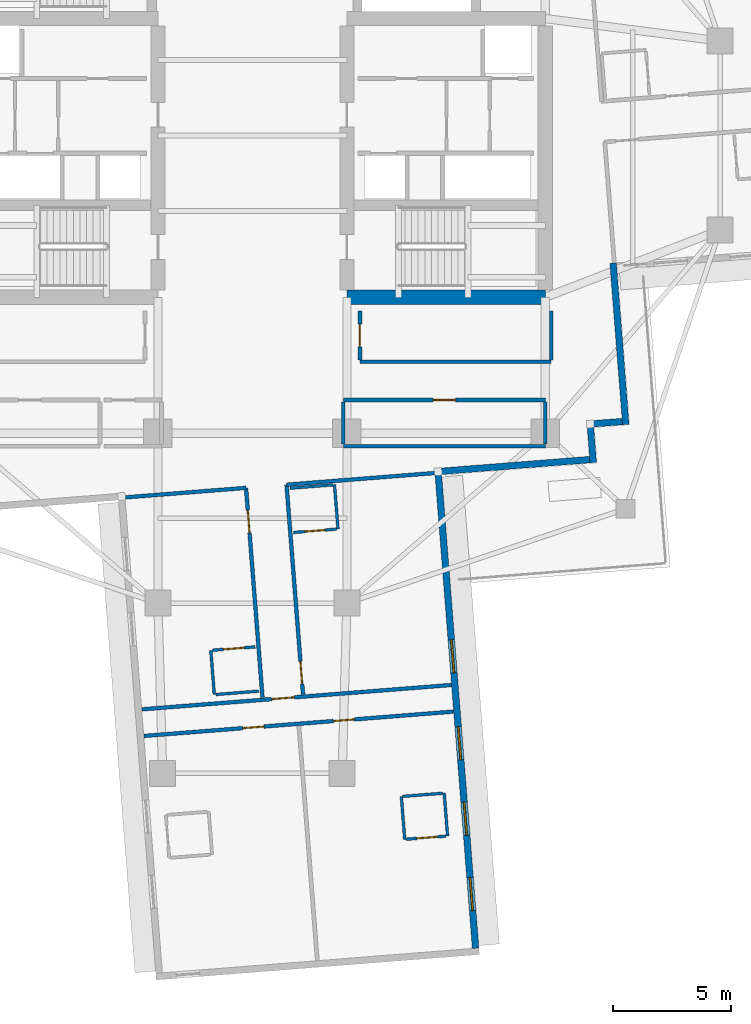
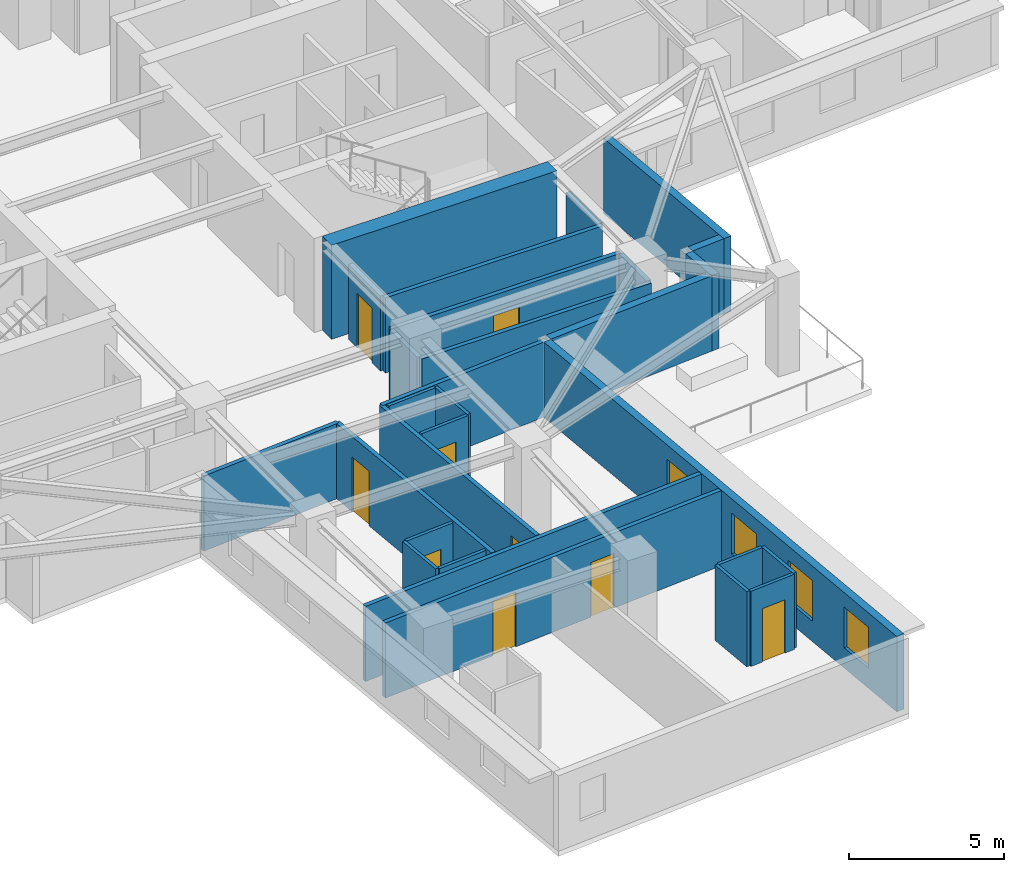
# One storey, part 4 of 14: 29 walls, 10 doors, 4 windows, 14 openings.
"""IFC4 building model written with IfcOpenShell, lengths in metres."""

from ifc_helpers import new_model, si_unit, direction, frame, frame_2d, origin, place, context, subcontext, project, spatial, rectangle, extrude, material, layer, layer_set, type_object, element, fill, save


model = new_model("IFC4")

# Units and contexts
model_context = context("Model", 3, precision=1e-05, world=origin(), true_north=direction((0.0, 1.0)))
body_context = subcontext(model_context, "Body", "Model", "MODEL_VIEW")
ifc_project = project(units=[si_unit("LENGTHUNIT", "METRE"), si_unit("AREAUNIT", "SQUARE_METRE"), si_unit("VOLUMEUNIT", "CUBIC_METRE"), si_unit("PLANEANGLEUNIT", "RADIAN"), si_unit("MASSUNIT", "GRAM", prefix="KILO")], contexts=[model_context])

# Site, building, storey
site_placement = place(None, origin())
site = spatial("IfcSite", under=ifc_project, at=site_placement, CompositionType="ELEMENT")
building_placement = place(site_placement, origin())
building = spatial("IfcBuilding", under=site, at=building_placement, Name="Qingluan Cross Belvedere", CompositionType="ELEMENT")
storey_placement = place(building_placement, frame((0.0, 0.0, 124.199951171875)))
storey = spatial("IfcBuildingStorey", under=building, at=storey_placement, Name="L31", CompositionType="ELEMENT", Elevation=124.199951171875)

# Walls
ifc_material_1 = material(Name="Concrete C60", Category="concrete")
ifc_layer_1 = layer(ifc_material_1, 0.60009765625, Name="CoreShearWall_600")
ifc_layer_set_1 = layer_set([ifc_layer_1], Name="Concrete C60")
wall_type_1 = type_object("IfcWallType", Name="CoreShearWall_600", PredefinedType="SHEAR", material=ifc_layer_set_1)
wall_1_placement = place(storey_placement, frame((4.0, -6.85009765625, 0.0), z_axis=(0.0, 0.0, 1.0), x_axis=(1.0, 0.0, 0.0)))
element("IfcWall", 1, at=wall_1_placement, inside=storey, type_object=wall_type_1, Name="Split core E shear wall L31-S", PredefinedType="SHEAR", context=body_context, shape_type="SweptSolid", body=[
    extrude(rectangle(XDim=8.39990234375, YDim=0.60009765625, at=frame_2d((4.199951171875, 0.0))), origin(), (0.0, 0.0, 1.0), 3.699951171875),
])
ifc_material_2 = material(Name="Gypsum plasterboard on steel stud acoustic partition", Category="steel")
ifc_layer_2 = layer(ifc_material_2, 0.159912109375, Name="CorridorPartition_160")
ifc_layer_set_2 = layer_set([ifc_layer_2], Name="Gypsum plasterboard on steel stud acoustic partition")
wall_type_2 = type_object("IfcWallType", Name="CorridorPartition_160", PredefinedType="PARTITIONING", material=ifc_layer_set_2)
wall_2_placement = place(storey_placement, frame((3.85009765625, -13.14990234375, 0.0), z_axis=(0.0, 0.0, 1.0), x_axis=(1.0, 0.0, 0.0)))
element("IfcWall", 2, at=wall_2_placement, inside=storey, type_object=wall_type_2, Name="Partition L31:q_se:S", PredefinedType="PARTITIONING", context=body_context, shape_type="SweptSolid", body=[
    extrude(rectangle(XDim=8.5498046875, YDim=0.159912109375, at=frame_2d((4.27490234375, 0.0))), origin(), (0.0, 0.0, 1.0), 2.9599609375),
])

# Wall, opening, door
wall_3_placement = place(storey_placement, frame((3.85009765625, -11.199951171875, 0.0), z_axis=(0.0, 0.0, 1.0), x_axis=(1.0, 0.0, 0.0)))
wall_3 = element("IfcWall", 3, at=wall_3_placement, inside=storey, type_object=wall_type_2, Name="Partition L31:q_se:N", PredefinedType="PARTITIONING", context=body_context, shape_type="SweptSolid", body=[
    extrude(rectangle(XDim=8.5498046875, YDim=0.159912109375, at=frame_2d((4.27490234375, 0.0))), origin(), (0.0, 0.0, 1.0), 2.9599609375),
])
opening_1_placement = place(wall_3_placement, frame((3.794921875, 0.0, 0.0)))
opening_1 = element("IfcOpeningElement", 4, at=opening_1_placement, cuts=wall_3, Name="Opening GD-10", PredefinedType="OPENING", context=body_context, shape_type="SweptSolid", body=[
    extrude(rectangle(XDim=0.9599609375, YDim=2.14990234375, at=frame_2d((0.47998046875, 1.074951171875))), frame((0.0, 0.08984375, 0.0), z_axis=(0.0, -1.0, 0.0), x_axis=(1.0, 0.0, 0.0)), (0.0, 0.0, 1.0), 0.179931640625),
])
ifc_material_3 = material(Name="Timber oak fire-rated acoustic guestroom door", Category="wood")
door_type_1 = type_object("IfcDoorType", Name="GuestEntryDoor_FD60", OperationType="NOTDEFINED", PredefinedType="DOOR", material=ifc_material_3)
door_1_placement = place(opening_1_placement, origin())
door_1 = element("IfcDoor", 5, at=door_1_placement, inside=storey, type_object=door_type_1, Name="Afternoon tea pantry L31 door", OperationType="SINGLE_SWING_LEFT", OverallHeight=2.14990234375, OverallWidth=0.9599609375, PredefinedType="DOOR", context=body_context, shape_type="SweptSolid", body=[
    extrude(rectangle(XDim=0.9599609375, YDim=2.14990234375, at=frame_2d((0.47998046875, 1.074951171875))), frame((0.0, 0.02490234375, 0.0), z_axis=(0.0, -1.0, 0.0), x_axis=(1.0, 0.0, 0.0)), (0.0, 0.0, 1.0), 0.050048828125),
])
fill(opening_1, door_1)

# Walls
for number, where, z_axis, x_axis, name in (
    (6, (3.85009765625, -13.06494140625, 0.0), (0.0, 0.0, 1.0), (0.0, 1.0, 0.0), "Partition L31:q_se:W"),
    (7, (12.39990234375, -13.06494140625, 0.0), (0.0, 0.0, 1.0), (0.0, 1.0, 0.0), "Partition L31:q_se:E"),
):
    element("IfcWall", number, at=place(storey_placement, frame(where, z_axis=z_axis, x_axis=x_axis)), inside=storey, type_object=wall_type_2, Name=name, PredefinedType="PARTITIONING", context=body_context, shape_type="SweptSolid", body=[
        extrude(rectangle(XDim=1.780029296875, YDim=0.159912109375, at=frame_2d((0.89013671875, 0.0))), origin(), (0.0, 0.0, 1.0), 2.9599609375),
    ])
wall_4_placement = place(storey_placement, frame((4.550048828125, -9.580078125, 0.0), z_axis=(0.0, 0.0, 1.0), x_axis=(1.0, 0.0, 0.0)))
element("IfcWall", 8, at=wall_4_placement, inside=storey, type_object=wall_type_2, Name="Partition L31:rec_st4:S", PredefinedType="PARTITIONING", context=body_context, shape_type="SweptSolid", body=[
    extrude(rectangle(XDim=8.099853515625, YDim=0.159912109375, at=frame_2d((4.0498046875, 0.0))), origin(), (0.0, 0.0, 1.0), 2.9599609375),
])

# Wall, opening, door
wall_5_placement = place(storey_placement, frame((4.550048828125, -9.4951171875, 0.0), z_axis=(0.0, 0.0, 1.0), x_axis=(0.0, 1.0, 0.0)))
wall_5 = element("IfcWall", 9, at=wall_5_placement, inside=storey, type_object=wall_type_2, Name="Partition L31:rec_st4:W", PredefinedType="PARTITIONING", context=body_context, shape_type="SweptSolid", body=[
    extrude(rectangle(XDim=2.06005859375, YDim=0.159912109375, at=frame_2d((1.030029296875, 0.0))), origin(), (0.0, 0.0, 1.0), 2.9599609375),
])
opening_2_placement = place(wall_5_placement, frame((0.550048828125, 0.0, 0.0)))
opening_2 = element("IfcOpeningElement", 10, at=opening_2_placement, cuts=wall_5, Name="Opening GD-10", PredefinedType="OPENING", context=body_context, shape_type="SweptSolid", body=[
    extrude(rectangle(XDim=0.9599609375, YDim=2.14990234375, at=frame_2d((0.47998046875, 1.074951171875))), frame((0.0, 0.08984375, 0.0), z_axis=(0.0, -1.0, 0.0), x_axis=(1.0, 0.0, 0.0)), (0.0, 0.0, 1.0), 0.179931640625),
])
door_2_placement = place(opening_2_placement, origin())
door_2 = element("IfcDoor", 11, at=door_2_placement, inside=storey, type_object=door_type_1, Name="Southeast club library room L31 door", OperationType="SINGLE_SWING_RIGHT", OverallHeight=2.14990234375, OverallWidth=0.9599609375, PredefinedType="DOOR", context=body_context, shape_type="SweptSolid", body=[
    extrude(rectangle(XDim=0.9599609375, YDim=2.14990234375, at=frame_2d((0.47998046875, 1.074951171875))), frame((0.0, 0.02490234375, 0.0), z_axis=(0.0, -1.0, 0.0), x_axis=(1.0, 0.0, 0.0)), (0.0, 0.0, 1.0), 0.050048828125),
])
fill(opening_2, door_2)

# Wall
wall_6_placement = place(storey_placement, frame((12.64990234375, -9.4951171875, 0.0), z_axis=(0.0, 0.0, 1.0), x_axis=(0.0, 1.0, 0.0)))
element("IfcWall", 12, at=wall_6_placement, inside=storey, type_object=wall_type_2, Name="Partition L31:rec_st4:E", PredefinedType="PARTITIONING", context=body_context, shape_type="SweptSolid", body=[
    extrude(rectangle(XDim=2.06005859375, YDim=0.159912109375, at=frame_2d((1.030029296875, 0.0))), origin(), (0.0, 0.0, 1.0), 2.9599609375),
])

# Wall, opening, door
wall_7_placement = place(storey_placement, frame((1.4443359375, -14.7822265625, 0.0), z_axis=(0.0, 0.0, 1.0), x_axis=(0.078454258523, -0.996917714418, 0.0)))
wall_7 = element("IfcWall", 13, at=wall_7_placement, inside=storey, type_object=wall_type_2, Name="Partition L31:S:c0", PredefinedType="PARTITIONING", context=body_context, shape_type="SweptSolid", body=[
    extrude(rectangle(XDim=8.89990234375, YDim=0.159912109375, at=frame_2d((4.449951171875, 0.0))), origin(), (0.0, 0.0, 1.0), 2.9599609375),
])
opening_3_placement = place(wall_7_placement, frame((7.5, 0.0, 0.0)))
opening_3 = element("IfcOpeningElement", 14, at=opening_3_placement, cuts=wall_7, Name="Opening GD-10", PredefinedType="OPENING", context=body_context, shape_type="SweptSolid", body=[
    extrude(rectangle(XDim=0.9599609375, YDim=2.14990234375, at=frame_2d((0.47998046875, 1.074951171875))), frame((0.0, 0.08984375, 0.0), z_axis=(0.0, -1.0, 0.0), x_axis=(1.0, 0.0, 0.0)), (0.0, 0.0, 1.0), 0.179931640625),
])
door_3_placement = place(opening_3_placement, origin())
door_3 = element("IfcDoor", 15, at=door_3_placement, inside=storey, type_object=door_type_1, Name="Guest entry fire door 3109", OperationType="SINGLE_SWING_RIGHT", OverallHeight=2.14990234375, OverallWidth=0.9599609375, PredefinedType="DOOR", context=body_context, shape_type="SweptSolid", body=[
    extrude(rectangle(XDim=0.9599609375, YDim=2.14990234375, at=frame_2d((0.47998046875, 1.074951171875))), frame((0.0, 0.02490234375, 0.0), z_axis=(0.0, -1.0, 0.0), x_axis=(1.0, 0.0, 0.0)), (0.0, 0.0, 1.0), 0.050048828125),
])
fill(opening_3, door_3)

# Wall
wall_8_placement = place(storey_placement, frame((1.4443359375, -14.7822265625, 0.0), z_axis=(0.0, 0.0, 1.0), x_axis=(0.996919168289, 0.078435781998, 0.0)))
element("IfcWall", 16, at=wall_8_placement, inside=storey, type_object=wall_type_2, Name="Partition L31:S:s0", PredefinedType="PARTITIONING", context=body_context, shape_type="SweptSolid", body=[
    extrude(rectangle(XDim=6.43994140625, YDim=0.159912109375, at=frame_2d((3.219970703125, 0.0))), origin(), (0.0, 0.0, 1.0), 2.9599609375),
])

# Wall, opening, door
wall_9_placement = place(storey_placement, frame((-0.2705078125, -14.917236328125, 0.0), z_axis=(0.0, 0.0, 1.0), x_axis=(0.078454258523, -0.996917714418, 0.0)))
wall_9 = element("IfcWall", 17, at=wall_9_placement, inside=storey, type_object=wall_type_2, Name="Partition L31:S:c1", PredefinedType="PARTITIONING", context=body_context, shape_type="SweptSolid", body=[
    extrude(rectangle(XDim=8.89990234375, YDim=0.159912109375, at=frame_2d((4.449951171875, 0.0))), origin(), (0.0, 0.0, 1.0), 2.9599609375),
])
opening_4_placement = place(wall_9_placement, frame((0.952880859375, 0.0, 0.0)))
opening_4 = element("IfcOpeningElement", 18, at=opening_4_placement, cuts=wall_9, Name="Opening GD-10", PredefinedType="OPENING", context=body_context, shape_type="SweptSolid", body=[
    extrude(rectangle(XDim=0.9599609375, YDim=2.14990234375, at=frame_2d((0.47998046875, 1.074951171875))), frame((0.0, 0.08984375, 0.0), z_axis=(0.0, -1.0, 0.0), x_axis=(1.0, 0.0, 0.0)), (0.0, 0.0, 1.0), 0.179931640625),
])
door_4_placement = place(opening_4_placement, origin())
door_4 = element("IfcDoor", 19, at=door_4_placement, inside=storey, type_object=door_type_1, Name="Guest entry fire door 3110", OperationType="SINGLE_SWING_RIGHT", OverallHeight=2.14990234375, OverallWidth=0.9599609375, PredefinedType="DOOR", context=body_context, shape_type="SweptSolid", body=[
    extrude(rectangle(XDim=0.9599609375, YDim=2.14990234375, at=frame_2d((0.47998046875, 1.074951171875))), frame((0.0, 0.02490234375, 0.0), z_axis=(0.0, -1.0, 0.0), x_axis=(1.0, 0.0, 0.0)), (0.0, 0.0, 1.0), 0.050048828125),
])
fill(opening_4, door_4)

# Wall
wall_10_placement = place(storey_placement, frame((-0.2705078125, -14.917236328125, 0.0), z_axis=(0.0, 0.0, 1.0), x_axis=(-0.996916642178, -0.078467882272, 0.0)))
element("IfcWall", 20, at=wall_10_placement, inside=storey, type_object=wall_type_2, Name="Partition L31:S:s1", PredefinedType="PARTITIONING", context=body_context, shape_type="SweptSolid", body=[
    extrude(rectangle(XDim=5.280029296875, YDim=0.159912109375, at=frame_2d((2.64013671875, 0.0))), origin(), (0.0, 0.0, 1.0), 2.9599609375),
])

# Wall, opening, door
wall_11_placement = place(storey_placement, frame((-4.680419921875, -24.2919921875, 0.0), z_axis=(0.0, 0.0, 1.0), x_axis=(0.996917447065, 0.078457655694, 0.0)))
wall_11 = element("IfcWall", 21, at=wall_11_placement, inside=storey, type_object=wall_type_2, Name="Partition L31:Scap:in", PredefinedType="PARTITIONING", context=body_context, shape_type="SweptSolid", body=[
    extrude(rectangle(XDim=13.14404296875, YDim=0.159912109375, at=frame_2d((6.572021484375, 0.0))), origin(), (0.0, 0.0, 1.0), 2.9599609375),
])
opening_5_placement = place(wall_11_placement, frame((5.511962890625, 0.0, 0.0)))
opening_5 = element("IfcOpeningElement", 22, at=opening_5_placement, cuts=wall_11, Name="Opening GD-10", PredefinedType="OPENING", context=body_context, shape_type="SweptSolid", body=[
    extrude(rectangle(XDim=0.9599609375, YDim=2.14990234375, at=frame_2d((0.47998046875, 1.074951171875))), frame((0.0, 0.08984375, 0.0), z_axis=(0.0, -1.0, 0.0), x_axis=(1.0, 0.0, 0.0)), (0.0, 0.0, 1.0), 0.179931640625),
])
door_5_placement = place(opening_5_placement, origin())
door_5 = element("IfcDoor", 23, at=door_5_placement, inside=storey, type_object=door_type_1, Name="Corner gallery fire door L31S", OperationType="SINGLE_SWING_LEFT", OverallHeight=2.14990234375, OverallWidth=0.9599609375, PredefinedType="DOOR", context=body_context, shape_type="SweptSolid", body=[
    extrude(rectangle(XDim=0.9599609375, YDim=2.14990234375, at=frame_2d((0.47998046875, 1.074951171875))), frame((0.0, 0.02490234375, 0.0), z_axis=(0.0, -1.0, 0.0), x_axis=(1.0, 0.0, 0.0)), (0.0, 0.0, 1.0), 0.050048828125),
])
fill(opening_5, door_5)

# Wall, openings, doors
wall_12_placement = place(storey_placement, frame((-4.591796875, -25.418701171875, 0.0), z_axis=(0.0, 0.0, 1.0), x_axis=(0.996915994096, 0.078476115573, 0.0)))
wall_12 = element("IfcWall", 24, at=wall_12_placement, inside=storey, type_object=wall_type_2, Name="Partition L31:Scap:vw", PredefinedType="PARTITIONING", context=body_context, shape_type="SweptSolid", body=[
    extrude(rectangle(XDim=13.14404296875, YDim=0.159912109375, at=frame_2d((6.572021484375, 0.0))), origin(), (0.0, 0.0, 1.0), 2.9599609375),
])
opening_6_placement = place(wall_12_placement, frame((4.201904296875, 0.0, 0.0)))
opening_6 = element("IfcOpeningElement", 25, at=opening_6_placement, cuts=wall_12, Name="Opening GD-09", PredefinedType="OPENING", context=body_context, shape_type="SweptSolid", body=[
    extrude(rectangle(XDim=0.89990234375, YDim=2.14990234375, at=frame_2d((0.449951171875, 1.074951171875))), frame((0.0, 0.08984375, 0.0), z_axis=(0.0, -1.0, 0.0), x_axis=(1.0, 0.0, 0.0)), (0.0, 0.0, 1.0), 0.179931640625),
])
opening_7_placement = place(wall_12_placement, frame((8.0419921875, 0.0, 0.0)))
opening_7 = element("IfcOpeningElement", 26, at=opening_7_placement, cuts=wall_12, Name="Opening GD-09", PredefinedType="OPENING", context=body_context, shape_type="SweptSolid", body=[
    extrude(rectangle(XDim=0.89990234375, YDim=2.14990234375, at=frame_2d((0.449951171875, 1.074951171875))), frame((0.0, 0.08984375, 0.0), z_axis=(0.0, -1.0, 0.0), x_axis=(1.0, 0.0, 0.0)), (0.0, 0.0, 1.0), 0.179931640625),
])
ifc_material_4 = material(Name="Timber oak fire-rated corner room door", Category="wood")
door_type_2 = type_object("IfcDoorType", Name="CornerRoomDoor_FD60", OperationType="NOTDEFINED", PredefinedType="DOOR", material=ifc_material_4)
door_6_placement = place(opening_6_placement, origin())
door_6 = element("IfcDoor", 27, at=door_6_placement, inside=storey, type_object=door_type_2, Name="Deluxe corner room door L31S1", OperationType="SINGLE_SWING_RIGHT", OverallHeight=2.14990234375, OverallWidth=0.89990234375, PredefinedType="DOOR", context=body_context, shape_type="SweptSolid", body=[
    extrude(rectangle(XDim=0.89990234375, YDim=2.14990234375, at=frame_2d((0.449951171875, 1.074951171875))), frame((0.0, 0.02490234375, 0.0), z_axis=(0.0, -1.0, 0.0), x_axis=(1.0, 0.0, 0.0)), (0.0, 0.0, 1.0), 0.050048828125),
])
fill(opening_6, door_6)
door_7_placement = place(opening_7_placement, origin())
door_7 = element("IfcDoor", 28, at=door_7_placement, inside=storey, type_object=door_type_2, Name="Deluxe corner room door L31S2", OperationType="SINGLE_SWING_LEFT", OverallHeight=2.14990234375, OverallWidth=0.89990234375, PredefinedType="DOOR", context=body_context, shape_type="SweptSolid", body=[
    extrude(rectangle(XDim=0.89990234375, YDim=2.14990234375, at=frame_2d((0.449951171875, 1.074951171875))), frame((0.0, 0.02490234375, 0.0), z_axis=(0.0, -1.0, 0.0), x_axis=(1.0, 0.0, 0.0)), (0.0, 0.0, 1.0), 0.050048828125),
])
fill(opening_7, door_7)

# Wall, opening, door
ifc_material_5 = material(Name="Moisture-resistant gypsum board lining")
ifc_layer_3 = layer(ifc_material_5, 0.1201171875, Name="EnsuiteWetPartition_120")
ifc_layer_set_3 = layer_set([ifc_layer_3], Name="Moisture-resistant gypsum board lining")
wall_type_3 = type_object("IfcWallType", Name="EnsuiteWetPartition_120", PredefinedType="PARTITIONING", material=ifc_layer_set_3)
wall_13_placement = place(storey_placement, frame((1.743896484375, -16.804931640625, 0.0), z_axis=(0.0, 0.0, 1.0), x_axis=(0.996916400774, 0.0784709492, 0.0)))
wall_13 = element("IfcWall", 29, at=wall_13_placement, inside=storey, type_object=wall_type_3, Name="Partition L31:S:bs0_0", PredefinedType="PARTITIONING", context=body_context, shape_type="SweptSolid", body=[
    extrude(rectangle(XDim=1.820068359375, YDim=0.1201171875, at=frame_2d((0.91015625, 0.0))), origin(), (0.0, 0.0, 1.0), 2.9599609375),
])
opening_8_placement = place(wall_13_placement, frame((0.469970703125, 0.0, 0.0)))
opening_8 = element("IfcOpeningElement", 30, at=opening_8_placement, cuts=wall_13, Name="Opening BD-09", PredefinedType="OPENING", context=body_context, shape_type="SweptSolid", body=[
    extrude(rectangle(XDim=0.8798828125, YDim=2.10009765625, at=frame_2d((0.43994140625, 1.050048828125))), frame((0.0, 0.070068359375, 0.0), z_axis=(0.0, -1.0, 0.0), x_axis=(1.0, 0.0, 0.0)), (0.0, 0.0, 1.0), 0.14013671875),
])
ifc_material_6 = material(Name="Moisture-sealed timber en-suite door", Category="wood")
door_type_3 = type_object("IfcDoorType", Name="BathroomDoor_880", OperationType="NOTDEFINED", PredefinedType="DOOR", material=ifc_material_6)
door_8_placement = place(opening_8_placement, origin())
door_8 = element("IfcDoor", 31, at=door_8_placement, inside=storey, type_object=door_type_3, Name="Bathroom door 3109", OperationType="SINGLE_SWING_LEFT", OverallHeight=2.10009765625, OverallWidth=0.8798828125, PredefinedType="DOOR", context=body_context, shape_type="SweptSolid", body=[
    extrude(rectangle(XDim=0.8798828125, YDim=2.10009765625, at=frame_2d((0.43994140625, 1.050048828125))), frame((0.0, 0.02490234375, 0.0), z_axis=(0.0, -1.0, 0.0), x_axis=(1.0, 0.0, 0.0)), (0.0, 0.0, 1.0), 0.050048828125),
])
fill(opening_8, door_8)

# Walls
wall_14_placement = place(storey_placement, frame((1.596435546875, -14.930908203125, 0.0), z_axis=(0.0, 0.0, 1.0), x_axis=(0.996916400774, 0.0784709492, 0.0)))
element("IfcWall", 32, at=wall_14_placement, inside=storey, type_object=wall_type_3, Name="Partition L31:S:bw0_0", PredefinedType="PARTITIONING", context=body_context, shape_type="SweptSolid", body=[
    extrude(rectangle(XDim=1.820068359375, YDim=0.1201171875, at=frame_2d((0.91015625, 0.0))), origin(), (0.0, 0.0, 1.0), 2.9599609375),
])
wall_15_placement = place(storey_placement, frame((3.4755859375, -14.782958984375, 0.0), z_axis=(0.0, 0.0, 1.0), x_axis=(0.078444342213, -0.99691849475, 0.0)))
element("IfcWall", 33, at=wall_15_placement, inside=storey, type_object=wall_type_3, Name="Partition L31:S:bn0_0", PredefinedType="PARTITIONING", context=body_context, shape_type="SweptSolid", body=[
    extrude(rectangle(XDim=1.8798828125, YDim=0.1201171875, at=frame_2d((0.93994140625, 0.0))), origin(), (0.0, 0.0, 1.0), 2.9599609375),
])

# Wall, opening, door
wall_16_placement = place(storey_placement, frame((-1.695556640625, -21.790283203125, 0.0), z_axis=(0.0, 0.0, 1.0), x_axis=(0.996916400774, 0.0784709492, 0.0)))
wall_16 = element("IfcWall", 34, at=wall_16_placement, inside=storey, type_object=wall_type_3, Name="Partition L31:S:bs1_0", PredefinedType="PARTITIONING", context=body_context, shape_type="SweptSolid", body=[
    extrude(rectangle(XDim=1.820068359375, YDim=0.1201171875, at=frame_2d((0.91015625, 0.0))), origin(), (0.0, 0.0, 1.0), 2.9599609375),
])
opening_9_placement = place(wall_16_placement, frame((0.469970703125, 0.0, 0.0)))
opening_9 = element("IfcOpeningElement", 35, at=opening_9_placement, cuts=wall_16, Name="Opening BD-09", PredefinedType="OPENING", context=body_context, shape_type="SweptSolid", body=[
    extrude(rectangle(XDim=0.8798828125, YDim=2.10009765625, at=frame_2d((0.43994140625, 1.050048828125))), frame((0.0, 0.070068359375, 0.0), z_axis=(0.0, -1.0, 0.0), x_axis=(1.0, 0.0, 0.0)), (0.0, 0.0, 1.0), 0.14013671875),
])
door_9_placement = place(opening_9_placement, origin())
door_9 = element("IfcDoor", 36, at=door_9_placement, inside=storey, type_object=door_type_3, Name="Bathroom door 3110", OperationType="SINGLE_SWING_LEFT", OverallHeight=2.10009765625, OverallWidth=0.8798828125, PredefinedType="DOOR", context=body_context, shape_type="SweptSolid", body=[
    extrude(rectangle(XDim=0.8798828125, YDim=2.10009765625, at=frame_2d((0.43994140625, 1.050048828125))), frame((0.0, 0.02490234375, 0.0), z_axis=(0.0, -1.0, 0.0), x_axis=(1.0, 0.0, 0.0)), (0.0, 0.0, 1.0), 0.050048828125),
])
fill(opening_9, door_9)

# Walls
wall_17_placement = place(storey_placement, frame((-1.548095703125, -23.664306640625, 0.0), z_axis=(0.0, 0.0, 1.0), x_axis=(0.996916400774, 0.0784709492, 0.0)))
element("IfcWall", 37, at=wall_17_placement, inside=storey, type_object=wall_type_3, Name="Partition L31:S:bw1_0", PredefinedType="PARTITIONING", context=body_context, shape_type="SweptSolid", body=[
    extrude(rectangle(XDim=1.820068359375, YDim=0.1201171875, at=frame_2d((0.91015625, 0.0))), origin(), (0.0, 0.0, 1.0), 2.9599609375),
])
wall_18_placement = place(storey_placement, frame((-1.760498046875, -21.79541015625, 0.0), z_axis=(0.0, 0.0, 1.0), x_axis=(0.078573415792, -0.996908329954, 0.0)))
element("IfcWall", 38, at=wall_18_placement, inside=storey, type_object=wall_type_3, Name="Partition L31:S:bc1_0", PredefinedType="PARTITIONING", context=body_context, shape_type="SweptSolid", body=[
    extrude(rectangle(XDim=1.8798828125, YDim=0.1201171875, at=frame_2d((0.93994140625, 0.0))), origin(), (0.0, 0.0, 1.0), 2.9599609375),
])
wall_19_placement = place(storey_placement, frame((6.3046875, -27.981689453125, 0.0), z_axis=(0.0, 0.0, 1.0), x_axis=(0.078481444107, -0.996915574626, 0.0)))
element("IfcWall", 39, at=wall_19_placement, inside=storey, type_object=wall_type_3, Name="Partition L31:Scap:b2s", PredefinedType="PARTITIONING", context=body_context, shape_type="SweptSolid", body=[
    extrude(rectangle(XDim=1.81982421875, YDim=0.1201171875, at=frame_2d((0.909912109375, 0.0))), origin(), (0.0, 0.0, 1.0), 2.9599609375),
])
wall_20_placement = place(storey_placement, frame((8.119140625, -27.8388671875, 0.0), z_axis=(0.0, 0.0, 1.0), x_axis=(0.0784709492, -0.996916400774, 0.0)))
element("IfcWall", 40, at=wall_20_placement, inside=storey, type_object=wall_type_3, Name="Partition L31:Scap:b2b", PredefinedType="PARTITIONING", context=body_context, shape_type="SweptSolid", body=[
    extrude(rectangle(XDim=1.820068359375, YDim=0.1201171875, at=frame_2d((0.91015625, 0.0))), origin(), (0.0, 0.0, 1.0), 2.9599609375),
])
wall_21_placement = place(storey_placement, frame((6.36474609375, -27.976806640625, 0.0), z_axis=(0.0, 0.0, 1.0), x_axis=(0.996920349899, 0.078420762289, 0.0)))
element("IfcWall", 41, at=wall_21_placement, inside=storey, type_object=wall_type_3, Name="Partition L31:Scap:b2a", PredefinedType="PARTITIONING", context=body_context, shape_type="SweptSolid", body=[
    extrude(rectangle(XDim=1.69970703125, YDim=0.1201171875, at=frame_2d((0.849853515625, 0.0))), origin(), (0.0, 0.0, 1.0), 2.9599609375),
])

# Wall, opening, door
wall_22_placement = place(storey_placement, frame((6.507568359375, -29.791259765625, 0.0), z_axis=(0.0, 0.0, 1.0), x_axis=(0.996920349899, 0.078420762289, 0.0)))
wall_22 = element("IfcWall", 42, at=wall_22_placement, inside=storey, type_object=wall_type_3, Name="Partition L31:Scap:b2n", PredefinedType="PARTITIONING", context=body_context, shape_type="SweptSolid", body=[
    extrude(rectangle(XDim=1.69970703125, YDim=0.1201171875, at=frame_2d((0.849853515625, 0.0))), origin(), (0.0, 0.0, 1.0), 2.9599609375),
])
opening_10_placement = place(wall_22_placement, frame((0.449951171875, 0.0, 0.0)))
opening_10 = element("IfcOpeningElement", 43, at=opening_10_placement, cuts=wall_22, Name="Opening BD-09", PredefinedType="OPENING", context=body_context, shape_type="SweptSolid", body=[
    extrude(rectangle(XDim=0.8798828125, YDim=2.10009765625, at=frame_2d((0.43994140625, 1.050048828125))), frame((0.0, 0.070068359375, 0.0), z_axis=(0.0, -1.0, 0.0), x_axis=(1.0, 0.0, 0.0)), (0.0, 0.0, 1.0), 0.14013671875),
])
door_10_placement = place(opening_10_placement, origin())
door_10 = element("IfcDoor", 44, at=door_10_placement, inside=storey, type_object=door_type_3, Name="En-suite bathroom door L31S2", OperationType="SINGLE_SWING_RIGHT", OverallHeight=2.10009765625, OverallWidth=0.8798828125, PredefinedType="DOOR", context=body_context, shape_type="SweptSolid", body=[
    extrude(rectangle(XDim=0.8798828125, YDim=2.10009765625, at=frame_2d((0.43994140625, 1.050048828125))), frame((0.0, 0.02490234375, 0.0), z_axis=(0.0, -1.0, 0.0), x_axis=(1.0, 0.0, 0.0)), (0.0, 0.0, 1.0), 0.050048828125),
])
fill(opening_10, door_10)

# Wall, openings, windows
ifc_material_7 = material(Name="Precast concrete C45", Category="concrete")
ifc_layer_4 = layer(ifc_material_7, 0.280029296875, Name="PrecastFacadeWall_280")
ifc_layer_set_4 = layer_set([ifc_layer_4], Name="Precast concrete C45")
wall_type_4 = type_object("IfcWallType", Name="PrecastFacadeWall_280", PredefinedType="STANDARD", material=ifc_layer_set_4)
wall_23_placement = place(storey_placement, frame((9.448486328125, -34.40478515625, 0.0), z_axis=(0.0, 0.0, 1.0), x_axis=(-0.078452802979, 0.996917828963, 0.0)))
wall_23 = element("IfcWall", 45, at=wall_23_placement, inside=storey, type_object=wall_type_4, Name="Facade wall L31-SB", PredefinedType="STANDARD", context=body_context, shape_type="SweptSolid", body=[
    extrude(rectangle(XDim=20.10009765625, YDim=0.280029296875, at=frame_2d((10.050048828125, 0.0))), origin(), (0.0, 0.0, 1.0), 2.969970703125),
])
opening_11_placement = place(wall_23_placement, frame((1.60009765625, 0.0, 0.800048828125)))
opening_11 = element("IfcOpeningElement", 46, at=opening_11_placement, cuts=wall_23, Name="Opening W-01", PredefinedType="OPENING", context=body_context, shape_type="SweptSolid", body=[
    extrude(rectangle(XDim=1.39990234375, YDim=1.60009765625, at=frame_2d((0.699951171875, 0.800048828125))), frame((0.0, 0.14990234375, 0.0), z_axis=(0.0, -1.0, 0.0), x_axis=(1.0, 0.0, 0.0)), (0.0, 0.0, 1.0), 0.300048828125),
])
opening_12_placement = place(wall_23_placement, frame((4.800048828125, 0.0, 0.800048828125)))
opening_12 = element("IfcOpeningElement", 47, at=opening_12_placement, cuts=wall_23, Name="Opening W-01", PredefinedType="OPENING", context=body_context, shape_type="SweptSolid", body=[
    extrude(rectangle(XDim=1.39990234375, YDim=1.60009765625, at=frame_2d((0.699951171875, 0.800048828125))), frame((0.0, 0.14990234375, 0.0), z_axis=(0.0, -1.0, 0.0), x_axis=(1.0, 0.0, 0.0)), (0.0, 0.0, 1.0), 0.300048828125),
])
opening_13_placement = place(wall_23_placement, frame((8.0, 0.0, 0.800048828125)))
opening_13 = element("IfcOpeningElement", 48, at=opening_13_placement, cuts=wall_23, Name="Opening W-01", PredefinedType="OPENING", context=body_context, shape_type="SweptSolid", body=[
    extrude(rectangle(XDim=1.39990234375, YDim=1.60009765625, at=frame_2d((0.699951171875, 0.800048828125))), frame((0.0, 0.14990234375, 0.0), z_axis=(0.0, -1.0, 0.0), x_axis=(1.0, 0.0, 0.0)), (0.0, 0.0, 1.0), 0.300048828125),
])
opening_14_placement = place(wall_23_placement, frame((11.699951171875, 0.0, 0.800048828125)))
opening_14 = element("IfcOpeningElement", 49, at=opening_14_placement, cuts=wall_23, Name="Opening W-01", PredefinedType="OPENING", context=body_context, shape_type="SweptSolid", body=[
    extrude(rectangle(XDim=1.39990234375, YDim=1.60009765625, at=frame_2d((0.699951171875, 0.800048828125))), frame((0.0, 0.14990234375, 0.0), z_axis=(0.0, -1.0, 0.0), x_axis=(1.0, 0.0, 0.0)), (0.0, 0.0, 1.0), 0.300048828125),
])
ifc_material_8 = material(Name="Thermally broken triple Low-E glass in aluminium frame", Category="aluminium")
window_type = type_object("IfcWindowType", Name="TriRibbonWin_1400x1600", PartitioningType="SINGLE_PANEL", PredefinedType="WINDOW", material=ifc_material_8)
window_1_placement = place(opening_11_placement, origin())
window_1 = element("IfcWindow", 50, at=window_1_placement, inside=storey, type_object=window_type, Name="Ribbon window L31-SB-1", OverallHeight=1.60009765625, OverallWidth=1.39990234375, PartitioningType="SINGLE_PANEL", PredefinedType="WINDOW", context=body_context, shape_type="SweptSolid", body=[
    extrude(rectangle(XDim=1.39990234375, YDim=1.60009765625, at=frame_2d((0.699951171875, 0.800048828125))), frame((0.0, 0.030029296875, 0.0), z_axis=(0.0, -1.0, 0.0), x_axis=(1.0, 0.0, 0.0)), (0.0, 0.0, 1.0), 0.06005859375),
])
fill(opening_11, window_1)
window_2_placement = place(opening_12_placement, origin())
window_2 = element("IfcWindow", 51, at=window_2_placement, inside=storey, type_object=window_type, Name="Ribbon window L31-SB-2", OverallHeight=1.60009765625, OverallWidth=1.39990234375, PartitioningType="SINGLE_PANEL", PredefinedType="WINDOW", context=body_context, shape_type="SweptSolid", body=[
    extrude(rectangle(XDim=1.39990234375, YDim=1.60009765625, at=frame_2d((0.699951171875, 0.800048828125))), frame((0.0, 0.030029296875, 0.0), z_axis=(0.0, -1.0, 0.0), x_axis=(1.0, 0.0, 0.0)), (0.0, 0.0, 1.0), 0.06005859375),
])
fill(opening_12, window_2)
window_3_placement = place(opening_13_placement, origin())
window_3 = element("IfcWindow", 52, at=window_3_placement, inside=storey, type_object=window_type, Name="Ribbon window L31-SB-3", OverallHeight=1.60009765625, OverallWidth=1.39990234375, PartitioningType="SINGLE_PANEL", PredefinedType="WINDOW", context=body_context, shape_type="SweptSolid", body=[
    extrude(rectangle(XDim=1.39990234375, YDim=1.60009765625, at=frame_2d((0.699951171875, 0.800048828125))), frame((0.0, 0.030029296875, 0.0), z_axis=(0.0, -1.0, 0.0), x_axis=(1.0, 0.0, 0.0)), (0.0, 0.0, 1.0), 0.06005859375),
])
fill(opening_13, window_3)
window_4_placement = place(opening_14_placement, origin())
window_4 = element("IfcWindow", 53, at=window_4_placement, inside=storey, type_object=window_type, Name="Ribbon window L31-SB-4", OverallHeight=1.60009765625, OverallWidth=1.39990234375, PartitioningType="SINGLE_PANEL", PredefinedType="WINDOW", context=body_context, shape_type="SweptSolid", body=[
    extrude(rectangle(XDim=1.39990234375, YDim=1.60009765625, at=frame_2d((0.699951171875, 0.800048828125))), frame((0.0, 0.030029296875, 0.0), z_axis=(0.0, -1.0, 0.0), x_axis=(1.0, 0.0, 0.0)), (0.0, 0.0, 1.0), 0.06005859375),
])
fill(opening_14, window_4)

# Walls
wall_24_placement = place(storey_placement, frame((15.2705078125, -5.3984375, 0.0), z_axis=(0.0, 0.0, 1.0), x_axis=(0.078473519122, -0.996916198482, 0.0)))
element("IfcWall", 54, at=wall_24_placement, inside=storey, type_object=wall_type_4, Name="Corner wall L31-SE1", PredefinedType="STANDARD", context=body_context, shape_type="SweptSolid", body=[
    extrude(rectangle(XDim=6.860107421875, YDim=0.280029296875, at=frame_2d((3.43017578125, 0.0))), origin(), (0.0, 0.0, 1.0), 2.969970703125),
])
wall_25_placement = place(storey_placement, frame((15.658203125, -12.10888671875, 0.0), z_axis=(0.0, 0.0, 1.0), x_axis=(-0.996917540398, -0.078456469752, 0.0)))
element("IfcWall", 55, at=wall_25_placement, inside=storey, type_object=wall_type_4, Name="Corner wall L31-SE2", PredefinedType="STANDARD", context=body_context, shape_type="SweptSolid", body=[
    extrude(rectangle(XDim=1.2197265625, YDim=0.280029296875, at=frame_2d((0.60986328125, 0.0))), origin(), (0.0, 0.0, 1.0), 2.969970703125),
])
wall_26_placement = place(storey_placement, frame((14.3134765625, -12.35498046875, 0.0), z_axis=(0.0, 0.0, 1.0), x_axis=(0.078451338629, -0.9969179442, 0.0)))
element("IfcWall", 56, at=wall_26_placement, inside=storey, type_object=wall_type_4, Name="Corner wall L31-SE3", PredefinedType="STANDARD", context=body_context, shape_type="SweptSolid", body=[
    extrude(rectangle(XDim=1.5, YDim=0.280029296875, at=frame_2d((0.75, 0.0))), origin(), (0.0, 0.0, 1.0), 2.969970703125),
])
wall_27_placement = place(storey_placement, frame((14.280517578125, -13.721923828125, 0.0), z_axis=(0.0, 0.0, 1.0), x_axis=(-0.99691915642, -0.078435932851, 0.0)))
element("IfcWall", 57, at=wall_27_placement, inside=storey, type_object=wall_type_4, Name="Corner wall L31-SE4", PredefinedType="STANDARD", context=body_context, shape_type="SweptSolid", body=[
    extrude(rectangle(XDim=6.2998046875, YDim=0.280029296875, at=frame_2d((3.14990234375, 0.0))), origin(), (0.0, 0.0, 1.0), 2.969970703125),
])

save(model, "model.ifc")
